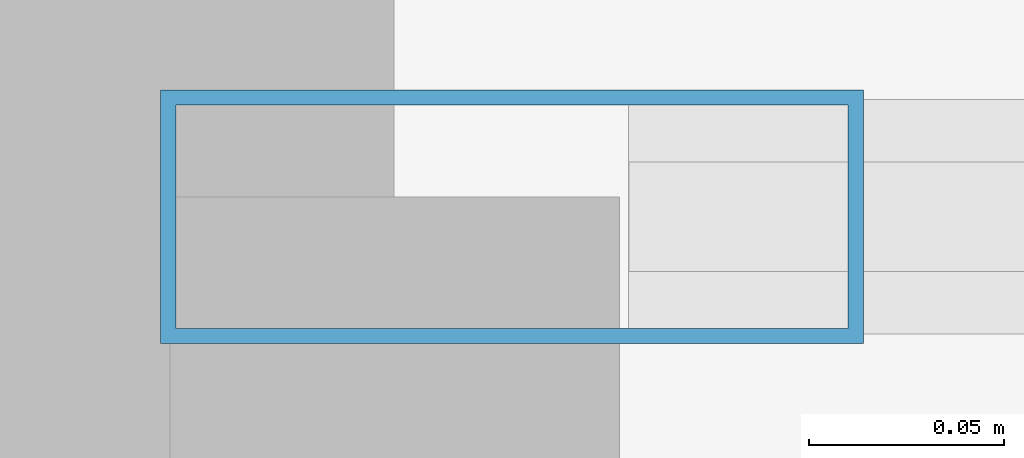
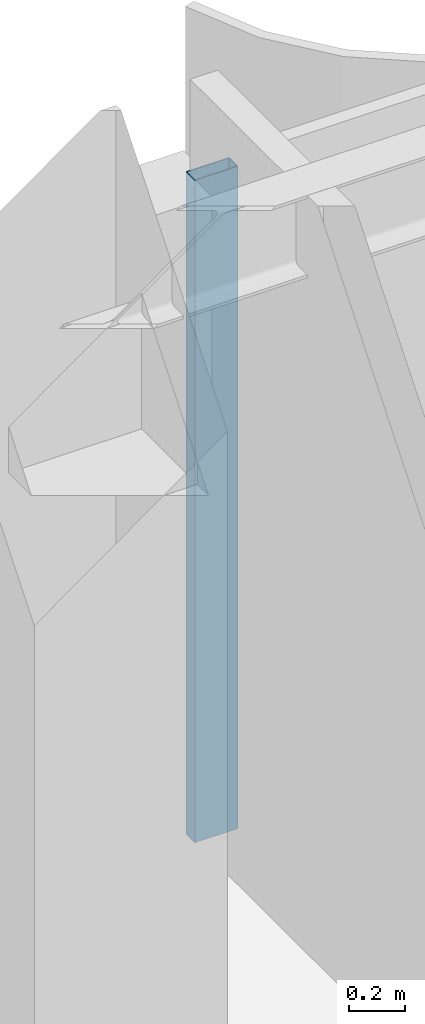
# One storey, part 10 of 19: 1 member, 1 element without a shape of its own.
"""IFC4 building model written with IfcOpenShell, lengths in metres."""

from ifc_helpers import new_model, si_unit, direction, frame, origin, origin_2d, place, context, subcontext, project, spatial, hollow_rectangle, extrude, source, transform, mapped, material, layer, layer_set, material_profile, profile_set, type_object, element, aggregate, save


model = new_model("IFC4")

# Units and contexts
model_context = context("Model", 3, precision=1e-05, world=origin(), true_north=direction((0.0, 1.0)))
body_context = subcontext(model_context, "Body", "Model", "MODEL_VIEW")
ifc_project = project(units=[si_unit("LENGTHUNIT", "METRE"), si_unit("AREAUNIT", "SQUARE_METRE"), si_unit("VOLUMEUNIT", "CUBIC_METRE"), si_unit("PLANEANGLEUNIT", "RADIAN"), si_unit("MASSUNIT", "GRAM", prefix="KILO")], contexts=[model_context])

# Site, building, storey
site_placement = place(None, origin())
site = spatial("IfcSite", under=ifc_project, at=site_placement, CompositionType="ELEMENT")
building_placement = place(site_placement, origin())
building = spatial("IfcBuilding", under=site, at=building_placement, Name="Khoralis Quay Care Tower", CompositionType="ELEMENT")
storey_placement = place(building_placement, frame((0.0, 0.0, 281.699951171875)))
storey = spatial("IfcBuildingStorey", under=building, at=storey_placement, Name="L74", CompositionType="ELEMENT", Elevation=281.699951171875)

# Curtain wall, member
ifc_material = material(Name="Pale anodised aluminium", Category="aluminium")
ifc_layer = layer(ifc_material, 0.159912109375)
ifc_layer_set = layer_set([ifc_layer], Name="Pale anodised aluminium")
curtain_wall_type = type_object("IfcCurtainWallType", Name="CW-SYS-Z3", PredefinedType="NOTDEFINED", material=ifc_layer_set)
curtain_wall_placement = place(storey_placement, origin())
curtain_wall = element("IfcCurtainWall", 1, at=curtain_wall_placement, inside=storey, type_object=curtain_wall_type, Name="L74 Unitised Curtain Wall CW-L74-P1-E10", PredefinedType="NOTDEFINED")
ifc_material_profile = material_profile(ifc_material, hollow_rectangle(XDim=0.06494140625, YDim=0.179931640625, WallThickness=0.00390625, at=origin_2d()), Name="Pale anodised aluminium")
ifc_profile_set = profile_set([ifc_material_profile], Name="Pale anodised aluminium")
member_type = type_object("IfcMemberType", Name="CW-MUL-180", PredefinedType="MULLION", material=ifc_profile_set)
shared_shape = source(origin(), body_context, "Body", "SweptSolid", [
    extrude(hollow_rectangle(XDim=0.06494140625, YDim=0.179931640625, WallThickness=0.00390625, at=origin_2d()), origin(), (0.0, 0.0, 1.0), 2.900146484375),
])
member_placement = place(storey_placement, frame((18.10009765625, 41.85009765625, 0.0), z_axis=(0.0, 0.0, 1.0), x_axis=(0.0, -1.0, 0.0)))
member = element("IfcMember", 2, at=member_placement, type_object=member_type, Name="CW3 mullion 4", PredefinedType="MULLION", context=body_context, shape_type="MappedRepresentation", body=[
    mapped(shared_shape, transform((0.0, 0.0, 0.0), scale=1.0)),
])
aggregate(curtain_wall, [member])

save(model, "model.ifc")
